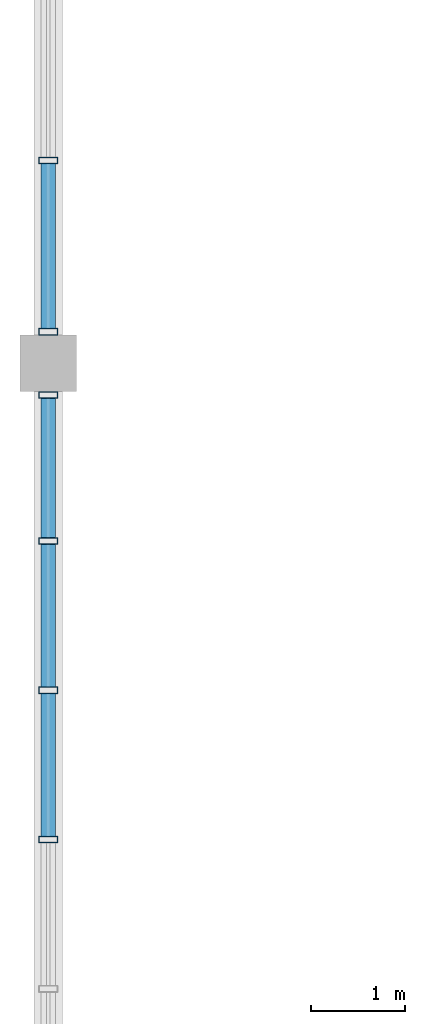
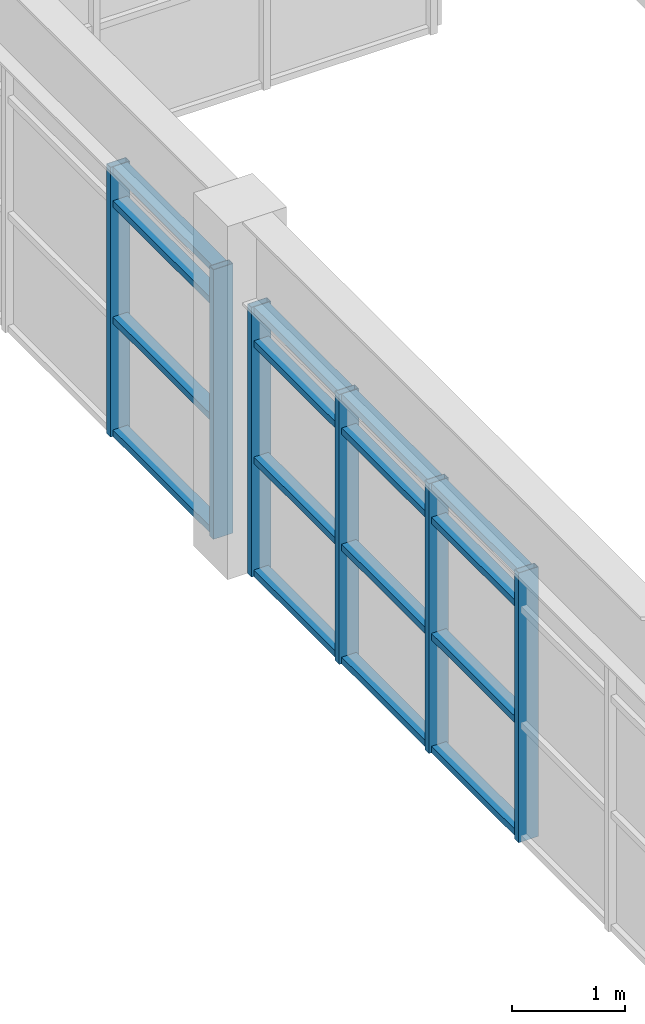
# One storey, part 13 of 28: 22 members, 2 elements without a shape of their own.
"""IFC4 building model written with IfcOpenShell, lengths in metres."""

from ifc_helpers import new_model, si_unit, direction, frame, origin, origin_2d, place, context, subcontext, project, spatial, hollow_rectangle, extrude, source, transform, mapped, material, layer, layer_set, material_profile, profile_set, type_object, element, aggregate, save


model = new_model("IFC4")

# Units and contexts
model_context = context("Model", 3, precision=1e-05, world=origin(), true_north=direction((0.0, 1.0)))
body_context = subcontext(model_context, "Body", "Model", "MODEL_VIEW")
ifc_project = project(units=[si_unit("LENGTHUNIT", "METRE"), si_unit("AREAUNIT", "SQUARE_METRE"), si_unit("VOLUMEUNIT", "CUBIC_METRE"), si_unit("PLANEANGLEUNIT", "RADIAN"), si_unit("MASSUNIT", "GRAM", prefix="KILO")], contexts=[model_context])

# Site, building, storey
site_placement = place(None, origin())
site = spatial("IfcSite", under=ifc_project, at=site_placement, CompositionType="ELEMENT")
building_placement = place(site_placement, origin())
building = spatial("IfcBuilding", under=site, at=building_placement, Name="Saelheon Loggia Tower", CompositionType="ELEMENT")
storey_placement = place(building_placement, frame((0.0, 0.0, 271.199951171875)))
storey = spatial("IfcBuildingStorey", under=building, at=storey_placement, Name="CR6", CompositionType="ELEMENT", Elevation=271.199951171875)

# Curtain wall, members
ifc_material_1 = material(Name="Bronze-Anodised Aluminium and Fritted Ceramic Screen", Category="aluminium")
ifc_layer = layer(ifc_material_1, 0.219970703125)
ifc_layer_set = layer_set([ifc_layer], Name="Bronze-Anodised Aluminium and Fritted Ceramic Screen")
curtain_wall_type = type_object("IfcCurtainWallType", Name="CW_CrownScreen", PredefinedType="NOTDEFINED", material=ifc_layer_set)
curtain_wall_1_placement = place(storey_placement, origin())
curtain_wall_1 = element("IfcCurtainWall", 1, at=curtain_wall_1_placement, inside=storey, type_object=curtain_wall_type, Name="CR6 Crown Screen Curtain Wall 9-1", PredefinedType="NOTDEFINED")
ifc_material_2 = material(Name="Bronze-Anodised Aluminium 6063-T6", Category="aluminium")
ifc_material_profile_1 = material_profile(ifc_material_2, hollow_rectangle(XDim=0.070068359375, YDim=0.199951171875, WallThickness=0.0048828125, at=origin_2d()), Name="RHS-200x70x5")
ifc_profile_set_1 = profile_set([ifc_material_profile_1], Name="Bronze-Anodised Aluminium 6063-T6")
member_type_1 = type_object("IfcMemberType", Name="CW_CrownScreen_Mullion", PredefinedType="MULLION", material=ifc_profile_set_1)
shared_shape_1 = source(origin(), body_context, "Body", "SweptSolid", [
    extrude(hollow_rectangle(XDim=0.070068359375, YDim=0.199951171875, WallThickness=0.0048828125, at=origin_2d()), origin(), (0.0, 0.0, 1.0), 2.900146484375),
])
member_1_placement = place(storey_placement, frame((23.35009765625, 38.14990234375, 0.0), z_axis=(0.0, 0.0, 1.0), x_axis=(0.0, -1.0, 0.0)))
member_1 = element("IfcMember", 2, at=member_1_placement, type_object=member_type_1, Name="CW6 mullion 3", PredefinedType="MULLION", context=body_context, shape_type="MappedRepresentation", body=[
    mapped(shared_shape_1, transform((0.0, 0.0, 0.0), scale=1.0)),
])
member_2_placement = place(storey_placement, frame((23.35009765625, 36.3349609375, 0.0), z_axis=(0.0, 0.0, 1.0), x_axis=(0.0, -1.0, 0.0)))
member_2 = element("IfcMember", 3, at=member_2_placement, type_object=member_type_1, Name="CW6 mullion 4", PredefinedType="MULLION", context=body_context, shape_type="MappedRepresentation", body=[
    mapped(shared_shape_1, transform((0.0, 0.0, 0.0), scale=1.0)),
])

curtain_wall_2_placement = place(storey_placement, origin())
curtain_wall_2 = element("IfcCurtainWall", 4, at=curtain_wall_2_placement, inside=storey, type_object=curtain_wall_type, Name="CR6 Crown Screen Curtain Wall 9-2", PredefinedType="NOTDEFINED")
member_3_placement = place(storey_placement, frame((23.35009765625, 35.6650390625, 0.0), z_axis=(0.0, 0.0, 1.0), x_axis=(0.0, -1.0, 0.0)))
member_3 = element("IfcMember", 5, at=member_3_placement, type_object=member_type_1, Name="CW6 mullion 1", PredefinedType="MULLION", context=body_context, shape_type="MappedRepresentation", body=[
    mapped(shared_shape_1, transform((0.0, 0.0, 0.0), scale=1.0)),
])
member_4_placement = place(storey_placement, frame((23.35009765625, 34.1181640625, 0.0), z_axis=(0.0, 0.0, 1.0), x_axis=(0.0, -1.0, 0.0)))
member_4 = element("IfcMember", 6, at=member_4_placement, type_object=member_type_1, Name="CW6 mullion 2", PredefinedType="MULLION", context=body_context, shape_type="MappedRepresentation", body=[
    mapped(shared_shape_1, transform((0.0, 0.0, 0.0), scale=1.0)),
])
member_5_placement = place(storey_placement, frame((23.35009765625, 32.536376953125, 0.0), z_axis=(0.0, 0.0, 1.0), x_axis=(0.0, -1.0, 0.0)))
member_5 = element("IfcMember", 7, at=member_5_placement, type_object=member_type_1, Name="CW6 mullion 3", PredefinedType="MULLION", context=body_context, shape_type="MappedRepresentation", body=[
    mapped(shared_shape_1, transform((0.0, 0.0, 0.0), scale=1.0)),
])
member_6_placement = place(storey_placement, frame((23.35009765625, 30.95458984375, 0.0), z_axis=(0.0, 0.0, 1.0), x_axis=(0.0, -1.0, 0.0)))
member_6 = element("IfcMember", 8, at=member_6_placement, type_object=member_type_1, Name="CW6 mullion 4", PredefinedType="MULLION", context=body_context, shape_type="MappedRepresentation", body=[
    mapped(shared_shape_1, transform((0.0, 0.0, 0.0), scale=1.0)),
])

# Member
ifc_material_profile_2 = material_profile(ifc_material_2, hollow_rectangle(XDim=0.070068359375, YDim=0.14990234375, WallThickness=0.0048828125, at=origin_2d()), Name="RHS-150x70x5")
ifc_profile_set_2 = profile_set([ifc_material_profile_2], Name="Bronze-Anodised Aluminium 6063-T6")
member_type_2 = type_object("IfcMemberType", Name="CW_CrownScreen_Transom", PredefinedType="USERDEFINED", material=ifc_profile_set_2)
shared_shape_2 = source(origin(), body_context, "Body", "SweptSolid", [
    extrude(hollow_rectangle(XDim=0.070068359375, YDim=0.14990234375, WallThickness=0.0048828125, at=origin_2d()), origin(), (0.0, 0.0, 1.0), 1.744873046875),
])
member_7_placement = place(storey_placement, frame((23.35009765625, 38.114990234375, 0.03515625), z_axis=(0.0, -1.0, 0.0), x_axis=(0.0, 0.0, 1.0)))
member_7 = element("IfcMember", 9, at=member_7_placement, type_object=member_type_2, Name="CW6 transom 3.1", ObjectType="TRANSOM", PredefinedType="USERDEFINED", context=body_context, shape_type="MappedRepresentation", body=[
    mapped(shared_shape_2, transform((0.0, 0.0, 0.0), scale=1.0)),
])

member_8_placement = place(storey_placement, frame((23.35009765625, 38.114990234375, 1.25), z_axis=(0.0, -1.0, 0.0), x_axis=(0.0, 0.0, 1.0)))
member_8 = element("IfcMember", 10, at=member_8_placement, type_object=member_type_2, Name="CW6 transom 3.2", ObjectType="TRANSOM", PredefinedType="USERDEFINED", context=body_context, shape_type="MappedRepresentation", body=[
    mapped(shared_shape_2, transform((0.0, 0.0, 0.0), scale=1.0)),
])

member_9_placement = place(storey_placement, frame((23.35009765625, 38.114990234375, 2.5), z_axis=(0.0, -1.0, 0.0), x_axis=(0.0, 0.0, 1.0)))
member_9 = element("IfcMember", 11, at=member_9_placement, type_object=member_type_2, Name="CW6 transom 3.3", ObjectType="TRANSOM", PredefinedType="USERDEFINED", context=body_context, shape_type="MappedRepresentation", body=[
    mapped(shared_shape_2, transform((0.0, 0.0, 0.0), scale=1.0)),
])

member_10_placement = place(storey_placement, frame((23.35009765625, 38.114990234375, 2.864990234375), z_axis=(0.0, -1.0, 0.0), x_axis=(0.0, 0.0, 1.0)))
member_10 = element("IfcMember", 12, at=member_10_placement, type_object=member_type_2, Name="CW6 transom 3.4", ObjectType="TRANSOM", PredefinedType="USERDEFINED", context=body_context, shape_type="MappedRepresentation", body=[
    mapped(shared_shape_2, transform((0.0, 0.0, 0.0), scale=1.0)),
])

aggregate(curtain_wall_1, [member_1, member_2, member_7, member_8, member_9, member_10])

shared_shape_3 = source(origin(), body_context, "Body", "SweptSolid", [
    extrude(hollow_rectangle(XDim=0.070068359375, YDim=0.14990234375, WallThickness=0.0048828125, at=origin_2d()), origin(), (0.0, 0.0, 1.0), 1.476806640625),
])
member_11_placement = place(storey_placement, frame((23.35009765625, 35.6298828125, 0.03515625), z_axis=(0.0, -1.0, 0.0), x_axis=(0.0, 0.0, 1.0)))
member_11 = element("IfcMember", 13, at=member_11_placement, type_object=member_type_2, Name="CW6 transom 1.1", ObjectType="TRANSOM", PredefinedType="USERDEFINED", context=body_context, shape_type="MappedRepresentation", body=[
    mapped(shared_shape_3, transform((0.0, 0.0, 0.0), scale=1.0)),
])

member_12_placement = place(storey_placement, frame((23.35009765625, 35.6298828125, 1.25), z_axis=(0.0, -1.0, 0.0), x_axis=(0.0, 0.0, 1.0)))
member_12 = element("IfcMember", 14, at=member_12_placement, type_object=member_type_2, Name="CW6 transom 1.2", ObjectType="TRANSOM", PredefinedType="USERDEFINED", context=body_context, shape_type="MappedRepresentation", body=[
    mapped(shared_shape_3, transform((0.0, 0.0, 0.0), scale=1.0)),
])

member_13_placement = place(storey_placement, frame((23.35009765625, 35.6298828125, 2.5), z_axis=(0.0, -1.0, 0.0), x_axis=(0.0, 0.0, 1.0)))
member_13 = element("IfcMember", 15, at=member_13_placement, type_object=member_type_2, Name="CW6 transom 1.3", ObjectType="TRANSOM", PredefinedType="USERDEFINED", context=body_context, shape_type="MappedRepresentation", body=[
    mapped(shared_shape_3, transform((0.0, 0.0, 0.0), scale=1.0)),
])

member_14_placement = place(storey_placement, frame((23.35009765625, 35.6298828125, 2.864990234375), z_axis=(0.0, -1.0, 0.0), x_axis=(0.0, 0.0, 1.0)))
member_14 = element("IfcMember", 16, at=member_14_placement, type_object=member_type_2, Name="CW6 transom 1.4", ObjectType="TRANSOM", PredefinedType="USERDEFINED", context=body_context, shape_type="MappedRepresentation", body=[
    mapped(shared_shape_3, transform((0.0, 0.0, 0.0), scale=1.0)),
])

shared_shape_4 = source(origin(), body_context, "Body", "SweptSolid", [
    extrude(hollow_rectangle(XDim=0.070068359375, YDim=0.14990234375, WallThickness=0.0048828125, at=origin_2d()), origin(), (0.0, 0.0, 1.0), 1.511962890625),
])
member_15_placement = place(storey_placement, frame((23.35009765625, 34.083251953125, 0.03515625), z_axis=(0.0, -1.0, 0.0), x_axis=(0.0, 0.0, 1.0)))
member_15 = element("IfcMember", 17, at=member_15_placement, type_object=member_type_2, Name="CW6 transom 2.1", ObjectType="TRANSOM", PredefinedType="USERDEFINED", context=body_context, shape_type="MappedRepresentation", body=[
    mapped(shared_shape_4, transform((0.0, 0.0, 0.0), scale=1.0)),
])

member_16_placement = place(storey_placement, frame((23.35009765625, 34.083251953125, 1.25), z_axis=(0.0, -1.0, 0.0), x_axis=(0.0, 0.0, 1.0)))
member_16 = element("IfcMember", 18, at=member_16_placement, type_object=member_type_2, Name="CW6 transom 2.2", ObjectType="TRANSOM", PredefinedType="USERDEFINED", context=body_context, shape_type="MappedRepresentation", body=[
    mapped(shared_shape_4, transform((0.0, 0.0, 0.0), scale=1.0)),
])

member_17_placement = place(storey_placement, frame((23.35009765625, 34.083251953125, 2.5), z_axis=(0.0, -1.0, 0.0), x_axis=(0.0, 0.0, 1.0)))
member_17 = element("IfcMember", 19, at=member_17_placement, type_object=member_type_2, Name="CW6 transom 2.3", ObjectType="TRANSOM", PredefinedType="USERDEFINED", context=body_context, shape_type="MappedRepresentation", body=[
    mapped(shared_shape_4, transform((0.0, 0.0, 0.0), scale=1.0)),
])

member_18_placement = place(storey_placement, frame((23.35009765625, 34.083251953125, 2.864990234375), z_axis=(0.0, -1.0, 0.0), x_axis=(0.0, 0.0, 1.0)))
member_18 = element("IfcMember", 20, at=member_18_placement, type_object=member_type_2, Name="CW6 transom 2.4", ObjectType="TRANSOM", PredefinedType="USERDEFINED", context=body_context, shape_type="MappedRepresentation", body=[
    mapped(shared_shape_4, transform((0.0, 0.0, 0.0), scale=1.0)),
])

member_19_placement = place(storey_placement, frame((23.35009765625, 32.50146484375, 0.03515625), z_axis=(0.0, -1.0, 0.0), x_axis=(0.0, 0.0, 1.0)))
member_19 = element("IfcMember", 21, at=member_19_placement, type_object=member_type_2, Name="CW6 transom 3.1", ObjectType="TRANSOM", PredefinedType="USERDEFINED", context=body_context, shape_type="MappedRepresentation", body=[
    mapped(shared_shape_4, transform((0.0, 0.0, 0.0), scale=1.0)),
])

member_20_placement = place(storey_placement, frame((23.35009765625, 32.50146484375, 1.25), z_axis=(0.0, -1.0, 0.0), x_axis=(0.0, 0.0, 1.0)))
member_20 = element("IfcMember", 22, at=member_20_placement, type_object=member_type_2, Name="CW6 transom 3.2", ObjectType="TRANSOM", PredefinedType="USERDEFINED", context=body_context, shape_type="MappedRepresentation", body=[
    mapped(shared_shape_4, transform((0.0, 0.0, 0.0), scale=1.0)),
])

member_21_placement = place(storey_placement, frame((23.35009765625, 32.50146484375, 2.5), z_axis=(0.0, -1.0, 0.0), x_axis=(0.0, 0.0, 1.0)))
member_21 = element("IfcMember", 23, at=member_21_placement, type_object=member_type_2, Name="CW6 transom 3.3", ObjectType="TRANSOM", PredefinedType="USERDEFINED", context=body_context, shape_type="MappedRepresentation", body=[
    mapped(shared_shape_4, transform((0.0, 0.0, 0.0), scale=1.0)),
])

member_22_placement = place(storey_placement, frame((23.35009765625, 32.50146484375, 2.864990234375), z_axis=(0.0, -1.0, 0.0), x_axis=(0.0, 0.0, 1.0)))
member_22 = element("IfcMember", 24, at=member_22_placement, type_object=member_type_2, Name="CW6 transom 3.4", ObjectType="TRANSOM", PredefinedType="USERDEFINED", context=body_context, shape_type="MappedRepresentation", body=[
    mapped(shared_shape_4, transform((0.0, 0.0, 0.0), scale=1.0)),
])

aggregate(curtain_wall_2, [member_3, member_4, member_5, member_6, member_11, member_12, member_13, member_14, member_15, member_16, member_17, member_18, member_19, member_20, member_21, member_22])

save(model, "model.ifc")
